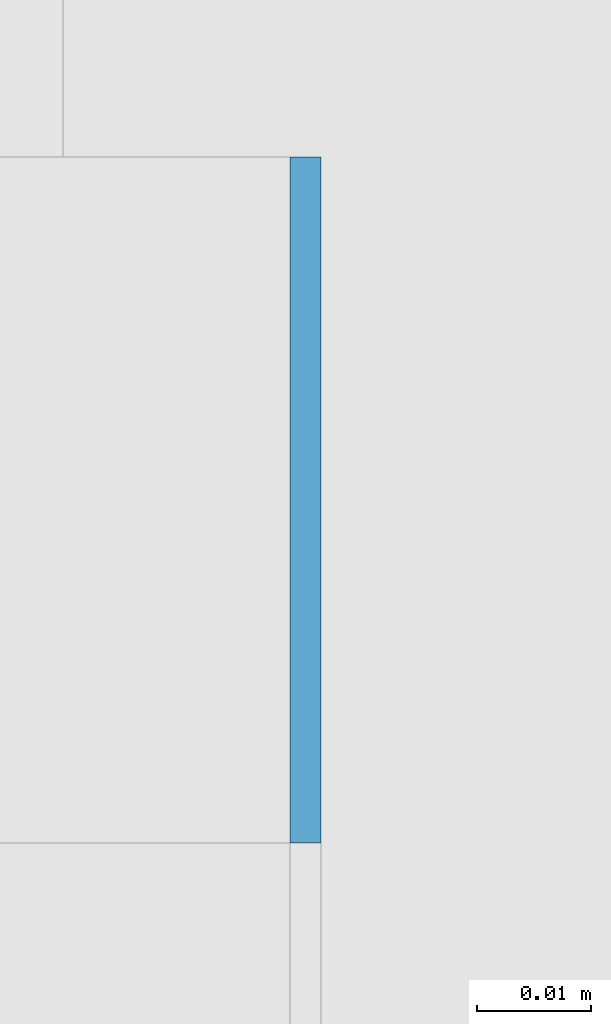
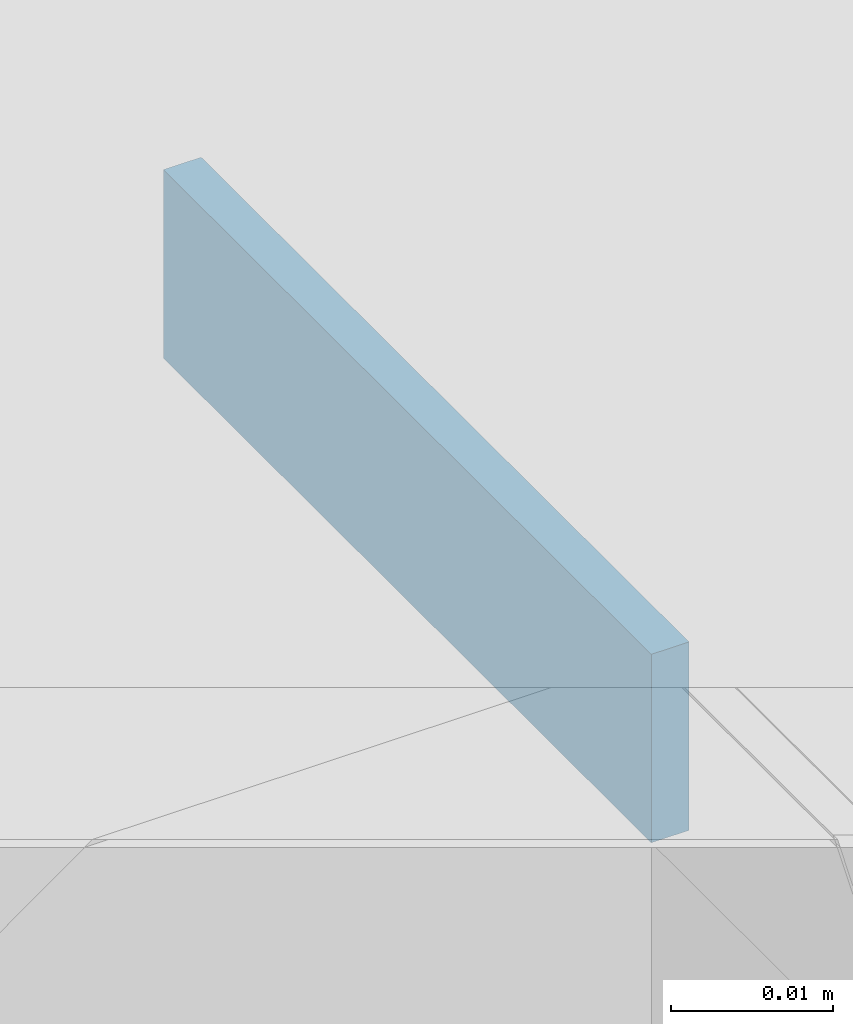
# One storey, part 285 of 646: 1 discrete accessory.
"""IFC4 building model written with IfcOpenShell, lengths in metres."""

from ifc_helpers import new_model, si_unit, direction, frame, origin, origin_2d, place, context, subcontext, project, spatial, rectangle, extrude, material, type_object, element, save


model = new_model("IFC4")

# Units and contexts
model_context = context("Model", 3, precision=1e-05, world=origin(), true_north=direction((0.0, 1.0)))
body_context = subcontext(model_context, "Body", "Model", "MODEL_VIEW")
ifc_project = project(units=[si_unit("LENGTHUNIT", "METRE"), si_unit("AREAUNIT", "SQUARE_METRE"), si_unit("VOLUMEUNIT", "CUBIC_METRE"), si_unit("PLANEANGLEUNIT", "RADIAN"), si_unit("MASSUNIT", "GRAM", prefix="KILO")], contexts=[model_context])

# Site, building, storey
site_placement = place(None, origin())
site = spatial("IfcSite", under=ifc_project, at=site_placement, CompositionType="ELEMENT")
building_placement = place(site_placement, origin())
building = spatial("IfcBuilding", under=site, at=building_placement, Name="Silverbay Arena", CompositionType="ELEMENT")
storey_placement = place(building_placement, frame((0.0, 0.0, 33.5)))
storey = spatial("IfcBuildingStorey", under=building, at=storey_placement, Name="L05", CompositionType="ELEMENT", Elevation=33.5)

# Discrete accessory
ifc_material = material(Name="Steel S355", Category="steel")
discrete_accessory_type = type_object("IfcDiscreteAccessoryType", Name="Steel bracket plate", PredefinedType="BRACKET", material=ifc_material)
discrete_accessory_placement = place(storey_placement, frame((53.871337890625, 54.030029296875, 12.98583984375), z_axis=(0.0, 0.0, 1.0), x_axis=(1.0, 0.0, 0.0)))
element("IfcDiscreteAccessory", 1, at=discrete_accessory_placement, inside=storey, type_object=discrete_accessory_type, Name="Curtain wall packing plate", PredefinedType="BRACKET", context=body_context, shape_type="SweptSolid", body=[
    extrude(rectangle(XDim=0.002685546875, YDim=0.06005859375, at=origin_2d()), origin(), (0.0, 0.0, 1.0), 0.01416015625),
])

save(model, "model.ifc")
